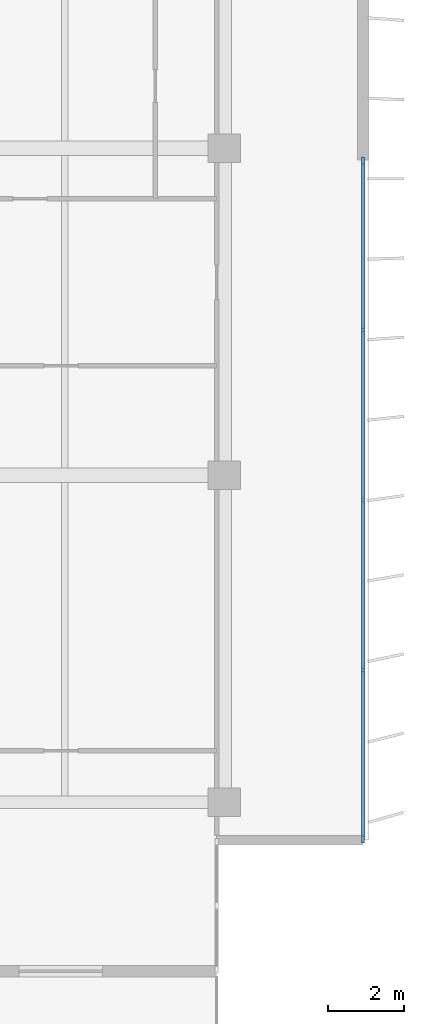
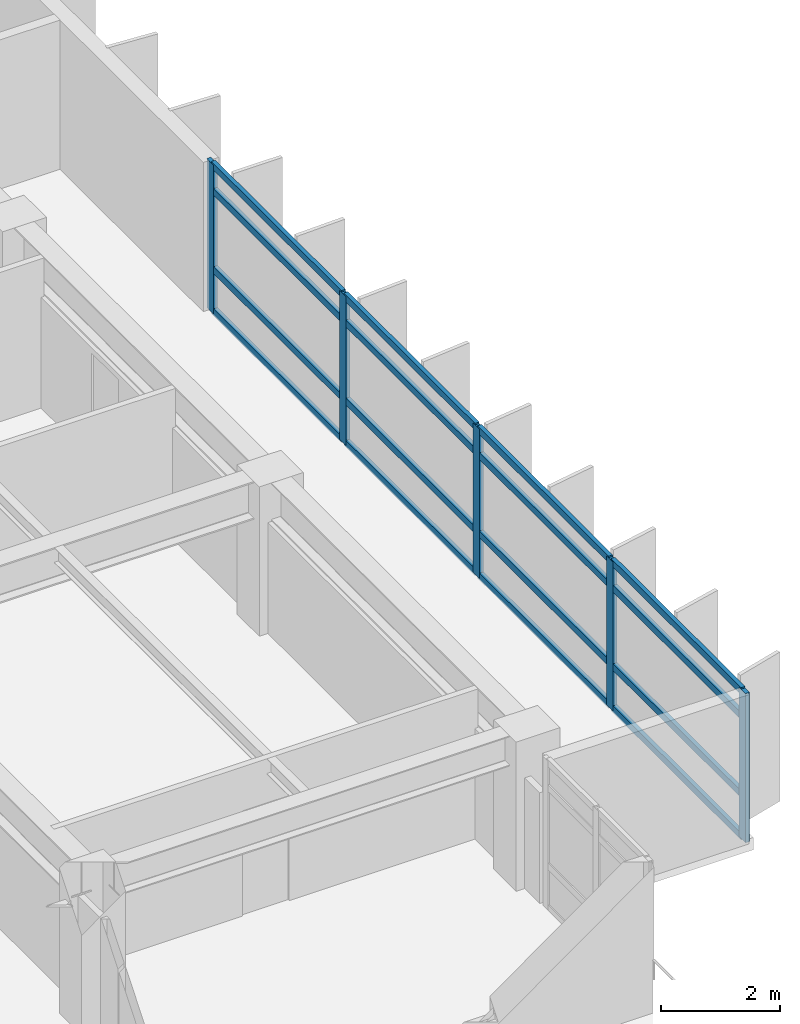
# One storey, part 5 of 16: 21 members, 1 element without a shape of its own.
"""IFC4 building model written with IfcOpenShell, lengths in metres."""

from ifc_helpers import new_model, si_unit, direction, frame, origin, origin_2d, place, context, subcontext, project, spatial, rectangle, extrude, material, layer, layer_set, material_profile, profile_set, type_object, element, aggregate, save


model = new_model("IFC4")

# Units and contexts
model_context = context("Model", 3, precision=1e-05, world=origin(), true_north=direction((0.0, 1.0)))
body_context = subcontext(model_context, "Body", "Model", "MODEL_VIEW")
ifc_project = project(units=[si_unit("LENGTHUNIT", "METRE"), si_unit("AREAUNIT", "SQUARE_METRE"), si_unit("VOLUMEUNIT", "CUBIC_METRE"), si_unit("PLANEANGLEUNIT", "RADIAN"), si_unit("MASSUNIT", "GRAM", prefix="KILO")], contexts=[model_context])

# Site, building, storey
site_placement = place(None, origin())
site = spatial("IfcSite", under=ifc_project, at=site_placement, CompositionType="ELEMENT")
building_placement = place(site_placement, origin())
building = spatial("IfcBuilding", under=site, at=building_placement, Name="Caelmar Bay Residences", CompositionType="ELEMENT")
storey_placement = place(building_placement, frame((0.0, 0.0, 211.5)))
storey = spatial("IfcBuildingStorey", under=building, at=storey_placement, Name="L59", CompositionType="ELEMENT", Elevation=211.5)

# Curtain wall, members
ifc_material_1 = material(Name="Anodised bronze aluminium 6063-T6 and laminated glass", Category="aluminium")
ifc_layer = layer(ifc_material_1, 0.179931640625)
ifc_layer_set = layer_set([ifc_layer], Name="Anodised bronze aluminium 6063-T6 and laminated glass")
curtain_wall_type = type_object("IfcCurtainWallType", Name="CW4-Z3", PredefinedType="NOTDEFINED", material=ifc_layer_set)
curtain_wall_placement = place(storey_placement, origin())
curtain_wall = element("IfcCurtainWall", 1, at=curtain_wall_placement, inside=storey, type_object=curtain_wall_type, Name="CW4 curtain wall L59", PredefinedType="NOTDEFINED")
ifc_material_2 = material(Name="Anodised bronze aluminium 6063-T6", Category="aluminium")
ifc_material_profile_1 = material_profile(ifc_material_2, rectangle(XDim=0.080078125, YDim=0.219970703125, at=origin_2d()), Name="CWM-80X220")
ifc_profile_set_1 = profile_set([ifc_material_profile_1], Name="Anodised bronze aluminium 6063-T6")
member_type_1 = type_object("IfcMemberType", Name="CWM-220", PredefinedType="MULLION", material=ifc_profile_set_1)
member_1_placement = place(storey_placement, frame((71.550048828125, 29.06005859375, 0.0), z_axis=(0.0, 0.0, 1.0), x_axis=(1.0, 0.0, 0.0)))
member_1 = element("IfcMember", 2, at=member_1_placement, type_object=member_type_1, Name="CW4 mullion 1", PredefinedType="MULLION", context=body_context, shape_type="SweptSolid", body=[
    extrude(rectangle(XDim=0.080078125, YDim=0.219970703125, at=origin_2d()), origin(), (0.0, 0.0, 1.0), 3.050048828125),
])
member_2_placement = place(storey_placement, frame((71.550048828125, 24.625, 0.0), z_axis=(0.0, 0.0, 1.0), x_axis=(1.0, 0.0, 0.0)))
member_2 = element("IfcMember", 3, at=member_2_placement, type_object=member_type_1, Name="CW4 mullion 2", PredefinedType="MULLION", context=body_context, shape_type="SweptSolid", body=[
    extrude(rectangle(XDim=0.080078125, YDim=0.219970703125, at=origin_2d()), origin(), (0.0, 0.0, 1.0), 3.050048828125),
])
member_3_placement = place(storey_placement, frame((71.550048828125, 20.14990234375, 0.0), z_axis=(0.0, 0.0, 1.0), x_axis=(1.0, 0.0, 0.0)))
member_3 = element("IfcMember", 4, at=member_3_placement, type_object=member_type_1, Name="CW4 mullion 3", PredefinedType="MULLION", context=body_context, shape_type="SweptSolid", body=[
    extrude(rectangle(XDim=0.080078125, YDim=0.219970703125, at=origin_2d()), origin(), (0.0, 0.0, 1.0), 3.050048828125),
])
member_4_placement = place(storey_placement, frame((71.550048828125, 15.675048828125, 0.0), z_axis=(0.0, 0.0, 1.0), x_axis=(1.0, 0.0, 0.0)))
member_4 = element("IfcMember", 5, at=member_4_placement, type_object=member_type_1, Name="CW4 mullion 4", PredefinedType="MULLION", context=body_context, shape_type="SweptSolid", body=[
    extrude(rectangle(XDim=0.080078125, YDim=0.219970703125, at=origin_2d()), origin(), (0.0, 0.0, 1.0), 3.050048828125),
])
member_5_placement = place(storey_placement, frame((71.550048828125, 11.239990234375, 0.0), z_axis=(0.0, 0.0, 1.0), x_axis=(1.0, 0.0, 0.0)))
member_5 = element("IfcMember", 6, at=member_5_placement, type_object=member_type_1, Name="CW4 mullion 5", PredefinedType="MULLION", context=body_context, shape_type="SweptSolid", body=[
    extrude(rectangle(XDim=0.080078125, YDim=0.219970703125, at=origin_2d()), origin(), (0.0, 0.0, 1.0), 3.050048828125),
])
ifc_material_profile_2 = material_profile(ifc_material_2, rectangle(XDim=0.080078125, YDim=0.139892578125, at=origin_2d()), Name="CWT-80X140")
ifc_profile_set_2 = profile_set([ifc_material_profile_2], Name="Anodised bronze aluminium 6063-T6")
member_type_2 = type_object("IfcMemberType", Name="CWT-140", PredefinedType="NOTDEFINED", material=ifc_profile_set_2)
member_6_placement = place(storey_placement, frame((71.550048828125, 29.02001953125, 0.0400390625), z_axis=(0.0, -1.0, 0.0), x_axis=(1.0, 0.0, 0.0)))
member_6 = element("IfcMember", 7, at=member_6_placement, type_object=member_type_2, Name="CW4 transom 1.1", ObjectType="TRANSOM", PredefinedType="USERDEFINED", context=body_context, shape_type="SweptSolid", body=[
    extrude(rectangle(XDim=0.080078125, YDim=0.139892578125, at=origin_2d()), origin(), (0.0, 0.0, 1.0), 4.35498046875),
])
member_7_placement = place(storey_placement, frame((71.550048828125, 29.02001953125, 0.89990234375), z_axis=(0.0, -1.0, 0.0), x_axis=(1.0, 0.0, 0.0)))
member_7 = element("IfcMember", 8, at=member_7_placement, type_object=member_type_2, Name="CW4 transom 1.2", ObjectType="TRANSOM", PredefinedType="USERDEFINED", context=body_context, shape_type="SweptSolid", body=[
    extrude(rectangle(XDim=0.080078125, YDim=0.139892578125, at=origin_2d()), origin(), (0.0, 0.0, 1.0), 4.35498046875),
])
member_8_placement = place(storey_placement, frame((71.550048828125, 29.02001953125, 2.5), z_axis=(0.0, -1.0, 0.0), x_axis=(1.0, 0.0, 0.0)))
member_8 = element("IfcMember", 9, at=member_8_placement, type_object=member_type_2, Name="CW4 transom 1.3", ObjectType="TRANSOM", PredefinedType="USERDEFINED", context=body_context, shape_type="SweptSolid", body=[
    extrude(rectangle(XDim=0.080078125, YDim=0.139892578125, at=origin_2d()), origin(), (0.0, 0.0, 1.0), 4.35498046875),
])
member_9_placement = place(storey_placement, frame((71.550048828125, 29.02001953125, 3.010009765625), z_axis=(0.0, -1.0, 0.0), x_axis=(1.0, 0.0, 0.0)))
member_9 = element("IfcMember", 10, at=member_9_placement, type_object=member_type_2, Name="CW4 transom 1.4", ObjectType="TRANSOM", PredefinedType="USERDEFINED", context=body_context, shape_type="SweptSolid", body=[
    extrude(rectangle(XDim=0.080078125, YDim=0.139892578125, at=origin_2d()), origin(), (0.0, 0.0, 1.0), 4.35498046875),
])
member_10_placement = place(storey_placement, frame((71.550048828125, 24.5849609375, 0.0400390625), z_axis=(0.0, -1.0, 0.0), x_axis=(1.0, 0.0, 0.0)))
member_10 = element("IfcMember", 11, at=member_10_placement, type_object=member_type_2, Name="CW4 transom 2.1", ObjectType="TRANSOM", PredefinedType="USERDEFINED", context=body_context, shape_type="SweptSolid", body=[
    extrude(rectangle(XDim=0.080078125, YDim=0.139892578125, at=origin_2d()), origin(), (0.0, 0.0, 1.0), 4.39501953125),
])
member_11_placement = place(storey_placement, frame((71.550048828125, 24.5849609375, 0.89990234375), z_axis=(0.0, -1.0, 0.0), x_axis=(1.0, 0.0, 0.0)))
member_11 = element("IfcMember", 12, at=member_11_placement, type_object=member_type_2, Name="CW4 transom 2.2", ObjectType="TRANSOM", PredefinedType="USERDEFINED", context=body_context, shape_type="SweptSolid", body=[
    extrude(rectangle(XDim=0.080078125, YDim=0.139892578125, at=origin_2d()), origin(), (0.0, 0.0, 1.0), 4.39501953125),
])
member_12_placement = place(storey_placement, frame((71.550048828125, 24.5849609375, 2.5), z_axis=(0.0, -1.0, 0.0), x_axis=(1.0, 0.0, 0.0)))
member_12 = element("IfcMember", 13, at=member_12_placement, type_object=member_type_2, Name="CW4 transom 2.3", ObjectType="TRANSOM", PredefinedType="USERDEFINED", context=body_context, shape_type="SweptSolid", body=[
    extrude(rectangle(XDim=0.080078125, YDim=0.139892578125, at=origin_2d()), origin(), (0.0, 0.0, 1.0), 4.39501953125),
])
member_13_placement = place(storey_placement, frame((71.550048828125, 24.5849609375, 3.010009765625), z_axis=(0.0, -1.0, 0.0), x_axis=(1.0, 0.0, 0.0)))
member_13 = element("IfcMember", 14, at=member_13_placement, type_object=member_type_2, Name="CW4 transom 2.4", ObjectType="TRANSOM", PredefinedType="USERDEFINED", context=body_context, shape_type="SweptSolid", body=[
    extrude(rectangle(XDim=0.080078125, YDim=0.139892578125, at=origin_2d()), origin(), (0.0, 0.0, 1.0), 4.39501953125),
])
member_14_placement = place(storey_placement, frame((71.550048828125, 20.110107421875, 0.0400390625), z_axis=(0.0, -1.0, 0.0), x_axis=(1.0, 0.0, 0.0)))
member_14 = element("IfcMember", 15, at=member_14_placement, type_object=member_type_2, Name="CW4 transom 3.1", ObjectType="TRANSOM", PredefinedType="USERDEFINED", context=body_context, shape_type="SweptSolid", body=[
    extrude(rectangle(XDim=0.080078125, YDim=0.139892578125, at=origin_2d()), origin(), (0.0, 0.0, 1.0), 4.39501953125),
])
member_15_placement = place(storey_placement, frame((71.550048828125, 20.110107421875, 0.89990234375), z_axis=(0.0, -1.0, 0.0), x_axis=(1.0, 0.0, 0.0)))
member_15 = element("IfcMember", 16, at=member_15_placement, type_object=member_type_2, Name="CW4 transom 3.2", ObjectType="TRANSOM", PredefinedType="USERDEFINED", context=body_context, shape_type="SweptSolid", body=[
    extrude(rectangle(XDim=0.080078125, YDim=0.139892578125, at=origin_2d()), origin(), (0.0, 0.0, 1.0), 4.39501953125),
])
member_16_placement = place(storey_placement, frame((71.550048828125, 20.110107421875, 2.5), z_axis=(0.0, -1.0, 0.0), x_axis=(1.0, 0.0, 0.0)))
member_16 = element("IfcMember", 17, at=member_16_placement, type_object=member_type_2, Name="CW4 transom 3.3", ObjectType="TRANSOM", PredefinedType="USERDEFINED", context=body_context, shape_type="SweptSolid", body=[
    extrude(rectangle(XDim=0.080078125, YDim=0.139892578125, at=origin_2d()), origin(), (0.0, 0.0, 1.0), 4.39501953125),
])
member_17_placement = place(storey_placement, frame((71.550048828125, 20.110107421875, 3.010009765625), z_axis=(0.0, -1.0, 0.0), x_axis=(1.0, 0.0, 0.0)))
member_17 = element("IfcMember", 18, at=member_17_placement, type_object=member_type_2, Name="CW4 transom 3.4", ObjectType="TRANSOM", PredefinedType="USERDEFINED", context=body_context, shape_type="SweptSolid", body=[
    extrude(rectangle(XDim=0.080078125, YDim=0.139892578125, at=origin_2d()), origin(), (0.0, 0.0, 1.0), 4.39501953125),
])
member_18_placement = place(storey_placement, frame((71.550048828125, 15.635009765625, 0.0400390625), z_axis=(0.0, -1.0, 0.0), x_axis=(1.0, 0.0, 0.0)))
member_18 = element("IfcMember", 19, at=member_18_placement, type_object=member_type_2, Name="CW4 transom 4.1", ObjectType="TRANSOM", PredefinedType="USERDEFINED", context=body_context, shape_type="SweptSolid", body=[
    extrude(rectangle(XDim=0.080078125, YDim=0.139892578125, at=origin_2d()), origin(), (0.0, 0.0, 1.0), 4.35498046875),
])
member_19_placement = place(storey_placement, frame((71.550048828125, 15.635009765625, 0.89990234375), z_axis=(0.0, -1.0, 0.0), x_axis=(1.0, 0.0, 0.0)))
member_19 = element("IfcMember", 20, at=member_19_placement, type_object=member_type_2, Name="CW4 transom 4.2", ObjectType="TRANSOM", PredefinedType="USERDEFINED", context=body_context, shape_type="SweptSolid", body=[
    extrude(rectangle(XDim=0.080078125, YDim=0.139892578125, at=origin_2d()), origin(), (0.0, 0.0, 1.0), 4.35498046875),
])
member_20_placement = place(storey_placement, frame((71.550048828125, 15.635009765625, 2.5), z_axis=(0.0, -1.0, 0.0), x_axis=(1.0, 0.0, 0.0)))
member_20 = element("IfcMember", 21, at=member_20_placement, type_object=member_type_2, Name="CW4 transom 4.3", ObjectType="TRANSOM", PredefinedType="USERDEFINED", context=body_context, shape_type="SweptSolid", body=[
    extrude(rectangle(XDim=0.080078125, YDim=0.139892578125, at=origin_2d()), origin(), (0.0, 0.0, 1.0), 4.35498046875),
])
member_21_placement = place(storey_placement, frame((71.550048828125, 15.635009765625, 3.010009765625), z_axis=(0.0, -1.0, 0.0), x_axis=(1.0, 0.0, 0.0)))
member_21 = element("IfcMember", 22, at=member_21_placement, type_object=member_type_2, Name="CW4 transom 4.4", ObjectType="TRANSOM", PredefinedType="USERDEFINED", context=body_context, shape_type="SweptSolid", body=[
    extrude(rectangle(XDim=0.080078125, YDim=0.139892578125, at=origin_2d()), origin(), (0.0, 0.0, 1.0), 4.35498046875),
])
aggregate(curtain_wall, [member_1, member_2, member_3, member_4, member_5, member_6, member_7, member_8, member_9, member_10, member_11, member_12, member_13, member_14, member_15, member_16, member_17, member_18, member_19, member_20, member_21])

save(model, "model.ifc")
